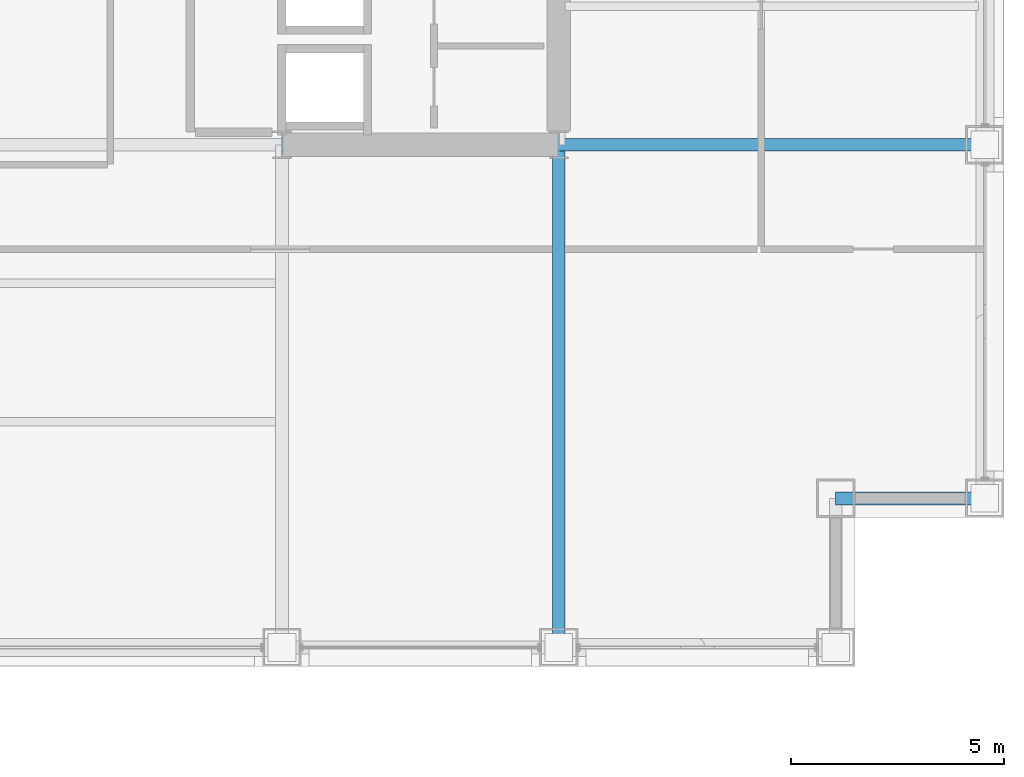
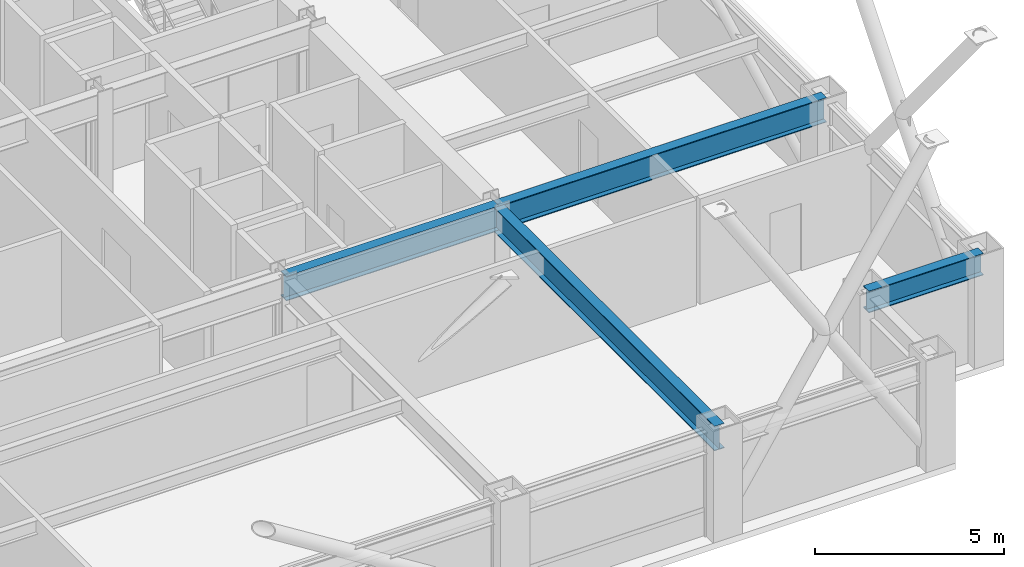
# One storey, part 11 of 29: 4 beams.
"""IFC4 building model written with IfcOpenShell, lengths in metres."""

from ifc_helpers import new_model, si_unit, direction, frame, origin, origin_2d, place, context, subcontext, project, spatial, i_section, extrude, material, material_profile, profile_set, type_object, element, save


model = new_model("IFC4")

# Units and contexts
model_context = context("Model", 3, precision=1e-05, world=origin(), true_north=direction((0.0, 1.0)))
body_context = subcontext(model_context, "Body", "Model", "MODEL_VIEW")
ifc_project = project(units=[si_unit("LENGTHUNIT", "METRE"), si_unit("AREAUNIT", "SQUARE_METRE"), si_unit("VOLUMEUNIT", "CUBIC_METRE"), si_unit("PLANEANGLEUNIT", "RADIAN"), si_unit("MASSUNIT", "GRAM", prefix="KILO")], contexts=[model_context])

# Site, building, storey
site_placement = place(None, origin())
site = spatial("IfcSite", under=ifc_project, at=site_placement, CompositionType="ELEMENT")
building_placement = place(site_placement, origin())
building = spatial("IfcBuilding", under=site, at=building_placement, Name="Brelmoor Portico Tower", CompositionType="ELEMENT")
storey_placement = place(building_placement, frame((0.0, 0.0, 67.199951171875)))
storey = spatial("IfcBuildingStorey", under=building, at=storey_placement, Name="L17", CompositionType="ELEMENT", Elevation=67.199951171875)

# Beams
ifc_material = material(Name="Steel Q355B", Category="steel")
ifc_material_profile_1 = material_profile(ifc_material, i_section(OverallWidth=0.300048828125, OverallDepth=0.800048828125, WebThickness=0.013916015625, FlangeThickness=0.02587890625, at=origin_2d()), Name="HN 800x300x14x26")
ifc_profile_set_1 = profile_set([ifc_material_profile_1], Name="Steel Q355B")
beam_type_1 = type_object("IfcBeamType", Name="BM-PG-800", PredefinedType="BEAM", material=ifc_profile_set_1)
beam_1_placement = place(storey_placement, frame((14.550048828125, -21.550048828125, 3.0), z_axis=(0.0, 1.0, 0.0), x_axis=(-1.0, 0.0, 0.0)))
element("IfcBeam", 1, at=beam_1_placement, inside=storey, type_object=beam_type_1, Name="L17 Primary Floor Girder PG-11", PredefinedType="BEAM", context=body_context, shape_type="SweptSolid", body=[
    extrude(i_section(OverallWidth=0.300048828125, OverallDepth=0.800048828125, WebThickness=0.013916015625, FlangeThickness=0.02587890625, at=origin_2d()), origin(), (0.0, 0.0, 1.0), 11.800048828125),
])
beam_2_placement = place(storey_placement, frame((8.050048828125, -9.75, 3.0), z_axis=(1.0, 0.0, 0.0), x_axis=(0.0, 1.0, 0.0)))
element("IfcBeam", 2, at=beam_2_placement, inside=storey, type_object=beam_type_1, Name="L17 Primary Floor Girder PG-22", PredefinedType="BEAM", context=body_context, shape_type="SweptSolid", body=[
    extrude(i_section(OverallWidth=0.300048828125, OverallDepth=0.800048828125, WebThickness=0.013916015625, FlangeThickness=0.02587890625, at=origin_2d()), origin(), (0.0, 0.0, 1.0), 6.5),
])
beam_3_placement = place(storey_placement, frame((14.550048828125, -9.75, 3.0), z_axis=(1.0, 0.0, 0.0), x_axis=(0.0, 1.0, 0.0)))
element("IfcBeam", 3, at=beam_3_placement, inside=storey, type_object=beam_type_1, Name="L17 Primary Floor Girder PG-23", PredefinedType="BEAM", context=body_context, shape_type="SweptSolid", body=[
    extrude(i_section(OverallWidth=0.300048828125, OverallDepth=0.800048828125, WebThickness=0.013916015625, FlangeThickness=0.02587890625, at=origin_2d()), origin(), (0.0, 0.0, 1.0), 10.0),
])
ifc_material_profile_2 = material_profile(ifc_material, i_section(OverallWidth=0.300048828125, OverallDepth=0.699951171875, WebThickness=0.012939453125, FlangeThickness=0.02392578125, at=origin_2d()), Name="HN 700x300x13x24")
ifc_profile_set_2 = profile_set([ifc_material_profile_2], Name="Steel Q355B")
beam_type_2 = type_object("IfcBeamType", Name="BM-SP-700", PredefinedType="SPANDREL", material=ifc_profile_set_2)
beam_4_placement = place(storey_placement, frame((21.050048828125, -18.050048828125, 3.050048828125), z_axis=(1.0, 0.0, 0.0), x_axis=(0.0, 1.0, 0.0)))
element("IfcBeam", 4, at=beam_4_placement, inside=storey, type_object=beam_type_2, Name="L17 Perimeter Spandrel Beam SP-07", PredefinedType="SPANDREL", context=body_context, shape_type="SweptSolid", body=[
    extrude(i_section(OverallWidth=0.300048828125, OverallDepth=0.699951171875, WebThickness=0.012939453125, FlangeThickness=0.02392578125, at=origin_2d()), origin(), (0.0, 0.0, 1.0), 3.5),
])

save(model, "model.ifc")
